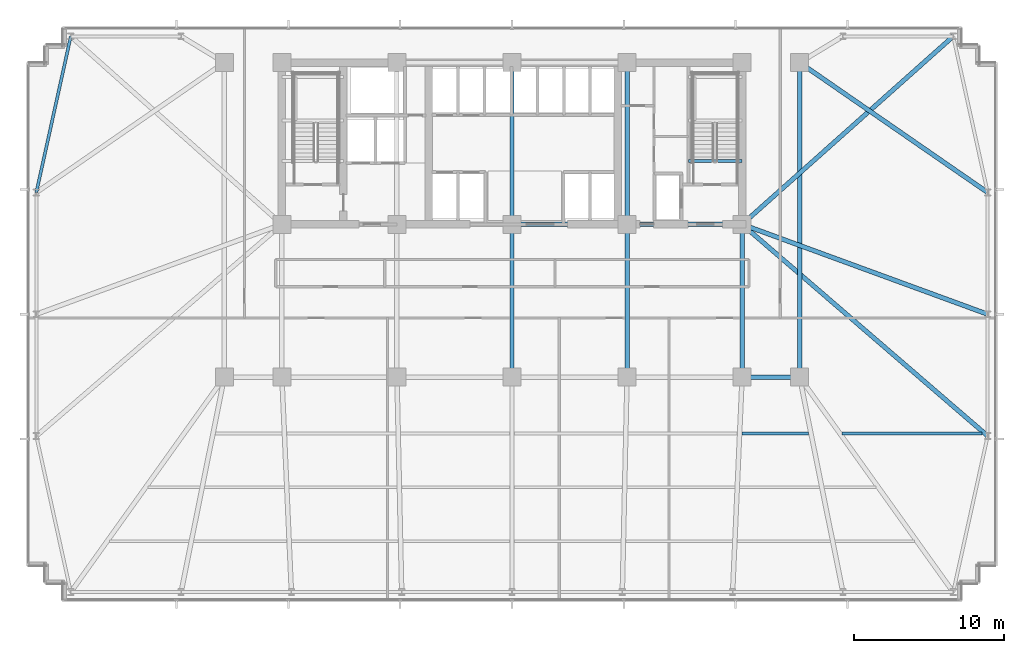
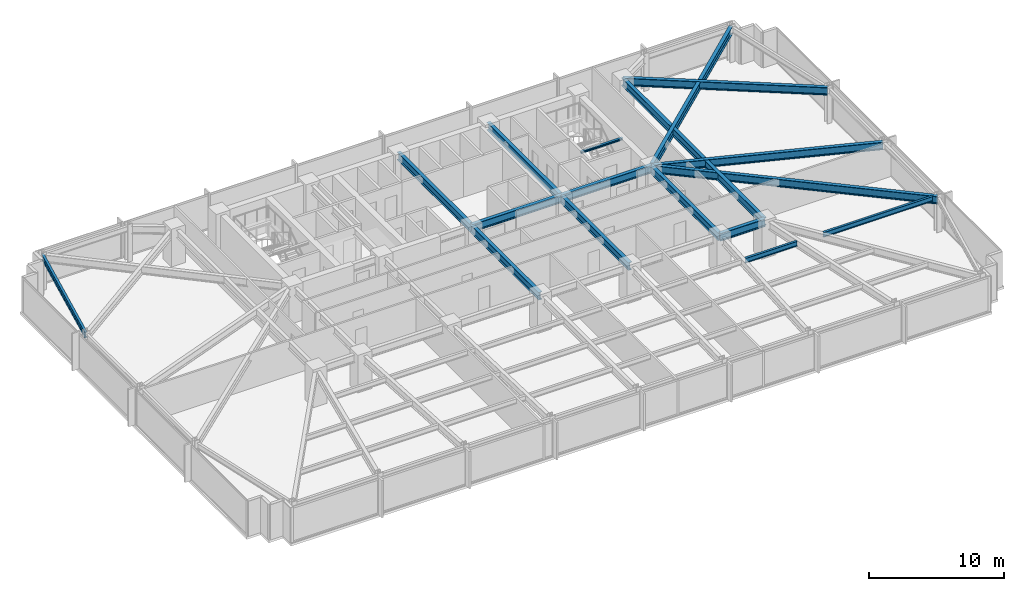
# One storey, part 16 of 33: 17 beams.
"""IFC4 building model written with IfcOpenShell, lengths in metres."""

from ifc_helpers import new_model, si_unit, direction, frame, origin, origin_2d, place, context, subcontext, project, spatial, i_section, extrude, material, material_profile, profile_set, type_object, element, save


model = new_model("IFC4")

# Units and contexts
model_context = context("Model", 3, precision=1e-05, world=origin(), true_north=direction((0.0, 1.0)))
body_context = subcontext(model_context, "Body", "Model", "MODEL_VIEW")
ifc_project = project(units=[si_unit("LENGTHUNIT", "METRE"), si_unit("AREAUNIT", "SQUARE_METRE"), si_unit("VOLUMEUNIT", "CUBIC_METRE"), si_unit("PLANEANGLEUNIT", "RADIAN"), si_unit("MASSUNIT", "GRAM", prefix="KILO")], contexts=[model_context])

# Site, building, storey
site_placement = place(None, origin())
site = spatial("IfcSite", under=ifc_project, at=site_placement, CompositionType="ELEMENT")
building_placement = place(site_placement, origin())
building = spatial("IfcBuilding", under=site, at=building_placement, Name="Yelkora Congress Tower", CompositionType="ELEMENT")
storey_placement = place(building_placement, frame((0.0, 0.0, 64.39990234375)))
storey = spatial("IfcBuildingStorey", under=building, at=storey_placement, Name="L16", CompositionType="ELEMENT", Elevation=64.39990234375)

# Beams
ifc_material = material(Name="Steel S355J2", Category="steel")
ifc_material_profile_1 = material_profile(ifc_material, i_section(OverallWidth=0.300048828125, OverallDepth=0.699951171875, WebThickness=0.01708984375, FlangeThickness=0.031982421875, FilletRadius=0.027099609375, at=origin_2d()), Name="HEB 700")
ifc_profile_set_1 = profile_set([ifc_material_profile_1], Name="Steel S355J2")
beam_type_1 = type_object("IfcBeamType", Name="BM-GIRD-HEB700", PredefinedType="BEAM", material=ifc_profile_set_1)
beam_1_placement = place(storey_placement, frame((53.760009765625, 25.199951171875, 2.830078125), z_axis=(1.0, 0.0, 0.0), x_axis=(0.0, 1.0, 0.0)))
element("IfcBeam", 1, at=beam_1_placement, inside=storey, type_object=beam_type_1, Name="L16 Spine Grid D Girder 6", PredefinedType="BEAM", context=body_context, shape_type="SweptSolid", body=[
    extrude(i_section(OverallWidth=0.300048828125, OverallDepth=0.699951171875, WebThickness=0.01708984375, FlangeThickness=0.031982421875, FilletRadius=0.027099609375, at=origin_2d()), origin(), (0.0, 0.0, 1.0), 3.840087890625),
])
beam_2_placement = place(storey_placement, frame((38.39990234375, 35.39990234375, 2.830078125), z_axis=(1.0, 0.0, 0.0), x_axis=(0.0, 1.0, 0.0)))
element("IfcBeam", 2, at=beam_2_placement, inside=storey, type_object=beam_type_1, Name="L16 Core South Girder 3", PredefinedType="BEAM", context=body_context, shape_type="SweptSolid", body=[
    extrude(i_section(OverallWidth=0.300048828125, OverallDepth=0.699951171875, WebThickness=0.01708984375, FlangeThickness=0.031982421875, FilletRadius=0.027099609375, at=origin_2d()), origin(), (0.0, 0.0, 1.0), 7.68017578125),
])
beam_3_placement = place(storey_placement, frame((46.080078125, 35.39990234375, 2.830078125), z_axis=(1.0, 0.0, 0.0), x_axis=(0.0, 1.0, 0.0)))
element("IfcBeam", 3, at=beam_3_placement, inside=storey, type_object=beam_type_1, Name="L16 Core South Girder 4", PredefinedType="BEAM", context=body_context, shape_type="SweptSolid", body=[
    extrude(i_section(OverallWidth=0.300048828125, OverallDepth=0.699951171875, WebThickness=0.01708984375, FlangeThickness=0.031982421875, FilletRadius=0.027099609375, at=origin_2d()), origin(), (0.0, 0.0, 1.0), 7.679931640625),
])
beam_4_placement = place(storey_placement, frame((38.39990234375, 25.199951171875, 2.830078125), z_axis=(0.0, 1.0, 0.0), x_axis=(-1.0, 0.0, 0.0)))
element("IfcBeam", 4, at=beam_4_placement, inside=storey, type_object=beam_type_1, Name="L16 Core Tie Girder MC-D3", PredefinedType="BEAM", context=body_context, shape_type="SweptSolid", body=[
    extrude(i_section(OverallWidth=0.300048828125, OverallDepth=0.699951171875, WebThickness=0.01708984375, FlangeThickness=0.031982421875, FilletRadius=0.027099609375, at=origin_2d()), origin(), (0.0, 0.0, 1.0), 10.199951171875),
])
beam_5_placement = place(storey_placement, frame((38.39990234375, 35.39990234375, 2.830078125), z_axis=(0.0, 1.0, 0.0), x_axis=(-1.0, 0.0, 0.0)))
element("IfcBeam", 5, at=beam_5_placement, inside=storey, type_object=beam_type_1, Name="L16 Core Tie Girder MC-S3", PredefinedType="BEAM", context=body_context, shape_type="SweptSolid", body=[
    extrude(i_section(OverallWidth=0.300048828125, OverallDepth=0.699951171875, WebThickness=0.01708984375, FlangeThickness=0.031982421875, FilletRadius=0.027099609375, at=origin_2d()), origin(), (0.0, 0.0, 1.0), 10.800048828125),
])
beam_6_placement = place(storey_placement, frame((46.080078125, 25.199951171875, 2.830078125), z_axis=(0.0, 1.0, 0.0), x_axis=(-1.0, 0.0, 0.0)))
element("IfcBeam", 6, at=beam_6_placement, inside=storey, type_object=beam_type_1, Name="L16 Core Tie Girder MC-D4", PredefinedType="BEAM", context=body_context, shape_type="SweptSolid", body=[
    extrude(i_section(OverallWidth=0.300048828125, OverallDepth=0.699951171875, WebThickness=0.01708984375, FlangeThickness=0.031982421875, FilletRadius=0.027099609375, at=origin_2d()), origin(), (0.0, 0.0, 1.0), 10.199951171875),
])
beam_7_placement = place(storey_placement, frame((46.080078125, 35.39990234375, 2.830078125), z_axis=(0.0, 1.0, 0.0), x_axis=(-1.0, 0.0, 0.0)))
element("IfcBeam", 7, at=beam_7_placement, inside=storey, type_object=beam_type_1, Name="L16 Core Tie Girder MC-S4", PredefinedType="BEAM", context=body_context, shape_type="SweptSolid", body=[
    extrude(i_section(OverallWidth=0.300048828125, OverallDepth=0.699951171875, WebThickness=0.01708984375, FlangeThickness=0.031982421875, FilletRadius=0.027099609375, at=origin_2d()), origin(), (0.0, 0.0, 1.0), 10.800048828125),
])
beam_8_placement = place(storey_placement, frame((53.760009765625, 25.199951171875, 2.830078125), z_axis=(0.0, 1.0, 0.0), x_axis=(-1.0, 0.0, 0.0)))
element("IfcBeam", 8, at=beam_8_placement, inside=storey, type_object=beam_type_1, Name="L16 Core Tie Girder MC-D5", PredefinedType="BEAM", context=body_context, shape_type="SweptSolid", body=[
    extrude(i_section(OverallWidth=0.300048828125, OverallDepth=0.699951171875, WebThickness=0.01708984375, FlangeThickness=0.031982421875, FilletRadius=0.027099609375, at=origin_2d()), origin(), (0.0, 0.0, 1.0), 10.199951171875),
])
beam_9_placement = place(storey_placement, frame((57.60009765625, 25.199951171875, 2.830078125), z_axis=(0.0, 1.0, 0.0), x_axis=(-1.0, 0.0, 0.0)))
element("IfcBeam", 9, at=beam_9_placement, inside=storey, type_object=beam_type_1, Name="L16 Neck Flank Girder MC-F2", PredefinedType="BEAM", context=body_context, shape_type="SweptSolid", body=[
    extrude(i_section(OverallWidth=0.300048828125, OverallDepth=0.699951171875, WebThickness=0.01708984375, FlangeThickness=0.031982421875, FilletRadius=0.027099609375, at=origin_2d()), origin(), (0.0, 0.0, 1.0), 21.0),
])
beam_10_placement = place(storey_placement, frame((67.85009765625, 47.949951171875, 2.830078125), z_axis=(-0.746737189621, -0.665119214605, 0.0), x_axis=(0.665119214605, -0.746737189621, 0.0)))
element("IfcBeam", 10, at=beam_10_placement, inside=storey, type_object=beam_type_1, Name="L16 Primary Frame Girder N09", PredefinedType="BEAM", context=body_context, shape_type="SweptSolid", body=[
    extrude(i_section(OverallWidth=0.300048828125, OverallDepth=0.699951171875, WebThickness=0.01708984375, FlangeThickness=0.031982421875, FilletRadius=0.027099609375, at=origin_2d()), origin(), (0.0, 0.0, 1.0), 18.868896484375),
])
beam_11_placement = place(storey_placement, frame((70.14990234375, 21.27490234375, 2.830078125), z_axis=(-0.757506357109, 0.652827786586, 0.0), x_axis=(-0.652827786586, -0.757506357109, 0.0)))
element("IfcBeam", 11, at=beam_11_placement, inside=storey, type_object=beam_type_1, Name="L16 Primary Frame Girder E01", PredefinedType="BEAM", context=body_context, shape_type="SweptSolid", body=[
    extrude(i_section(OverallWidth=0.300048828125, OverallDepth=0.699951171875, WebThickness=0.01708984375, FlangeThickness=0.031982421875, FilletRadius=0.027099609375, at=origin_2d()), origin(), (0.0, 0.0, 1.0), 21.63671875),
])
beam_12_placement = place(storey_placement, frame((70.14990234375, 29.39990234375, 2.830078125), z_axis=(-0.939054471542, 0.343768380567, 0.0), x_axis=(-0.343768380567, -0.939054471542, 0.0)))
element("IfcBeam", 12, at=beam_12_placement, inside=storey, type_object=beam_type_1, Name="L16 Primary Frame Girder E02", PredefinedType="BEAM", context=body_context, shape_type="SweptSolid", body=[
    extrude(i_section(OverallWidth=0.300048828125, OverallDepth=0.699951171875, WebThickness=0.01708984375, FlangeThickness=0.031982421875, FilletRadius=0.027099609375, at=origin_2d()), origin(), (0.0, 0.0, 1.0), 17.45361328125),
])
beam_13_placement = place(storey_placement, frame((70.14990234375, 37.52490234375, 2.830078125), z_axis=(-0.822599280139, 0.568621512357, 0.0), x_axis=(-0.568621512357, -0.822599280139, 0.0)))
element("IfcBeam", 13, at=beam_13_placement, inside=storey, type_object=beam_type_1, Name="L16 Primary Frame Girder E03", PredefinedType="BEAM", context=body_context, shape_type="SweptSolid", body=[
    extrude(i_section(OverallWidth=0.300048828125, OverallDepth=0.699951171875, WebThickness=0.01708984375, FlangeThickness=0.031982421875, FilletRadius=0.027099609375, at=origin_2d()), origin(), (0.0, 0.0, 1.0), 15.25634765625),
])
ifc_material_profile_2 = material_profile(ifc_material, i_section(OverallWidth=0.18994140625, OverallDepth=0.449951171875, WebThickness=0.009521484375, FlangeThickness=0.0146484375, FilletRadius=0.02099609375, at=origin_2d()), Name="IPE 450")
ifc_profile_set_2 = profile_set([ifc_material_profile_2], Name="Steel S355J2")
beam_type_2 = type_object("IfcBeamType", Name="BM-JOIST-IPE450", PredefinedType="JOIST", material=ifc_profile_set_2)
beam_14_placement = place(storey_placement, frame((53.754150390625, 21.449951171875, 2.955078125), z_axis=(1.0, 0.0, 0.0), x_axis=(0.0, 1.0, 0.0)))
element("IfcBeam", 14, at=beam_14_placement, inside=storey, type_object=beam_type_2, Name="L16 Composite Floor Joist 22", PredefinedType="JOIST", context=body_context, shape_type="SweptSolid", body=[
    extrude(i_section(OverallWidth=0.18994140625, OverallDepth=0.449951171875, WebThickness=0.009521484375, FlangeThickness=0.0146484375, FilletRadius=0.02099609375, at=origin_2d()), origin(), (0.0, 0.0, 1.0), 4.4404296875),
])
beam_15_placement = place(storey_placement, frame((60.438720703125, 21.449951171875, 2.955078125), z_axis=(1.0, 0.0, 0.0), x_axis=(0.0, 1.0, 0.0)))
element("IfcBeam", 15, at=beam_15_placement, inside=storey, type_object=beam_type_2, Name="L16 Composite Floor Joist 23", PredefinedType="JOIST", context=body_context, shape_type="SweptSolid", body=[
    extrude(i_section(OverallWidth=0.18994140625, OverallDepth=0.449951171875, WebThickness=0.009521484375, FlangeThickness=0.0146484375, FilletRadius=0.02099609375, at=origin_2d()), origin(), (0.0, 0.0, 1.0), 9.34814453125),
])
ifc_material_profile_3 = material_profile(ifc_material, i_section(OverallWidth=0.199951171875, OverallDepth=0.18994140625, WebThickness=0.006591796875, FlangeThickness=0.010009765625, FilletRadius=0.01806640625, at=origin_2d()), Name="HEA 200")
ifc_profile_set_3 = profile_set([ifc_material_profile_3], Name="Steel S355J2")
beam_type_3 = type_object("IfcBeamType", Name="BM-LAND-HEA200", PredefinedType="BEAM", material=ifc_profile_set_3)
beam_16_placement = place(storey_placement, frame((50.179931640625, 39.639892578125, 2.947509765625), z_axis=(1.0, 0.0, 0.0), x_axis=(0.0, 1.0, 0.0)))
element("IfcBeam", 16, at=beam_16_placement, inside=storey, type_object=beam_type_3, Name="ST-02 L16 Floor Arrival Stringer Header Beam", PredefinedType="BEAM", context=body_context, shape_type="SweptSolid", body=[
    extrude(i_section(OverallWidth=0.199951171875, OverallDepth=0.18994140625, WebThickness=0.006591796875, FlangeThickness=0.010009765625, FilletRadius=0.01806640625, at=origin_2d()), origin(), (0.0, 0.0, 1.0), 3.580078125),
])
ifc_material_profile_4 = material_profile(ifc_material, i_section(OverallWidth=0.199951171875, OverallDepth=0.5, WebThickness=0.01025390625, FlangeThickness=0.01611328125, FilletRadius=0.02099609375, at=origin_2d()), Name="IPE 500")
ifc_profile_set_4 = profile_set([ifc_material_profile_4], Name="Steel S355J2")
beam_type_4 = type_object("IfcBeamType", Name="BM-SPAN-IPE500", PredefinedType="SPANDREL", material=ifc_profile_set_4)
beam_17_placement = place(storey_placement, frame((8.949951171875, 47.949951171875, 2.93017578125), z_axis=(-0.215445894778, -0.976515778891, 0.0), x_axis=(0.976515778891, -0.215445894778, 0.0)))
element("IfcBeam", 17, at=beam_17_placement, inside=storey, type_object=beam_type_4, Name="L16 Perimeter Beam 17", PredefinedType="SPANDREL", context=body_context, shape_type="SweptSolid", body=[
    extrude(i_section(OverallWidth=0.199951171875, OverallDepth=0.5, WebThickness=0.01025390625, FlangeThickness=0.01611328125, FilletRadius=0.02099609375, at=origin_2d()), origin(), (0.0, 0.0, 1.0), 10.67578125),
])

save(model, "model.ifc")
